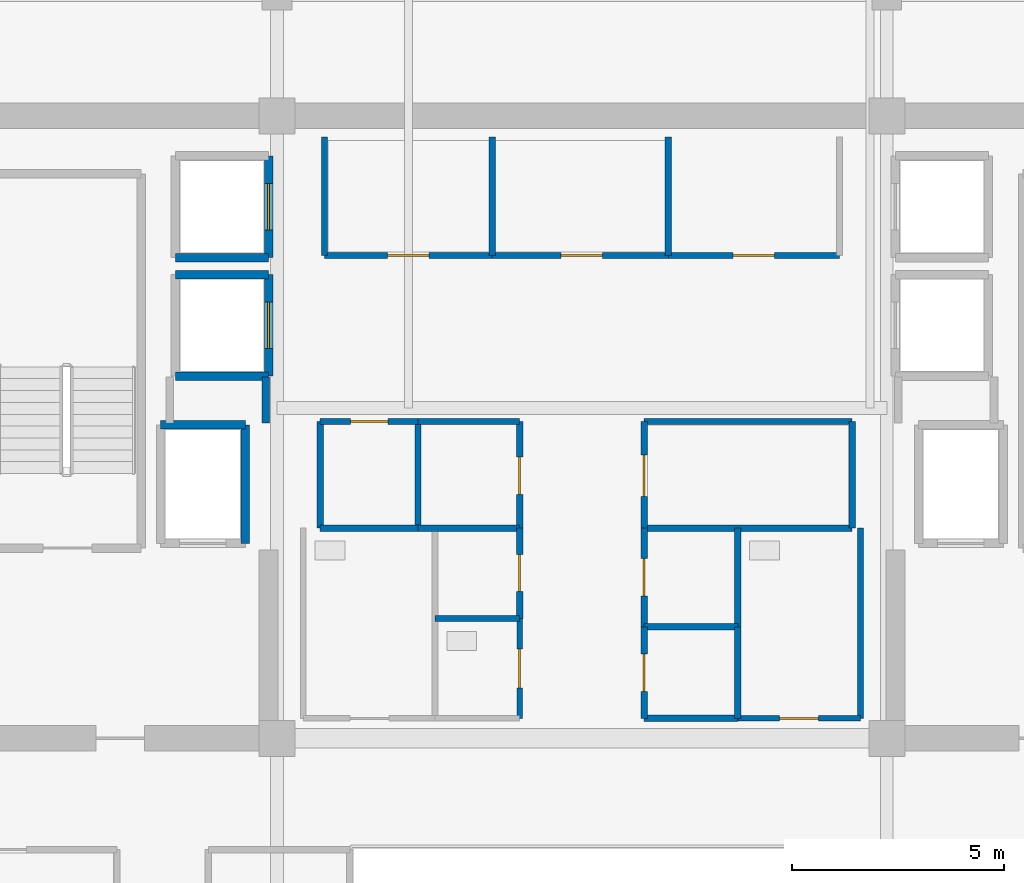
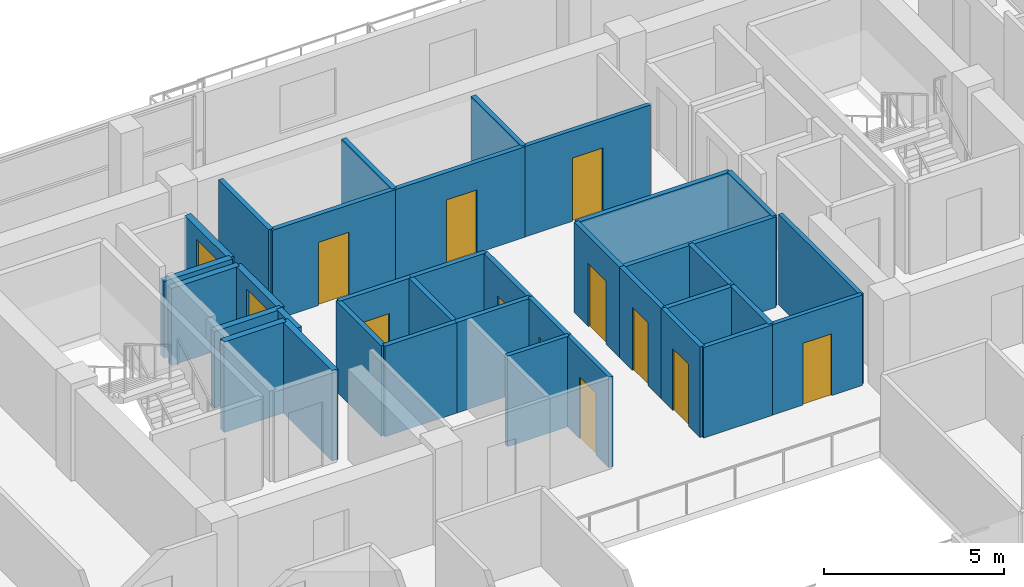
# One storey, part 17 of 24: 36 walls, 13 doors, 13 openings.
"""IFC4 building model written with IfcOpenShell, lengths in metres."""

from ifc_helpers import new_model, si_unit, direction, frame, frame_2d, origin, place, context, subcontext, project, spatial, rectangle, extrude, source, transform, mapped, material, layer, layer_set, type_object, element, fill, save


model = new_model("IFC4")

# Units and contexts
model_context = context("Model", 3, precision=1e-05, world=origin(), true_north=direction((0.0, 1.0)))
body_context = subcontext(model_context, "Body", "Model", "MODEL_VIEW")
ifc_project = project(units=[si_unit("LENGTHUNIT", "METRE"), si_unit("AREAUNIT", "SQUARE_METRE"), si_unit("VOLUMEUNIT", "CUBIC_METRE"), si_unit("PLANEANGLEUNIT", "RADIAN"), si_unit("MASSUNIT", "GRAM", prefix="KILO")], contexts=[model_context])

# Site, building, storey
site_placement = place(None, origin())
site = spatial("IfcSite", under=ifc_project, at=site_placement, CompositionType="ELEMENT")
building_placement = place(site_placement, origin())
building = spatial("IfcBuilding", under=site, at=building_placement, Name="Zarnakvel Exchange Tower", CompositionType="ELEMENT")
storey_placement = place(building_placement, frame((0.0, 0.0, 208.89990234375)))
storey = spatial("IfcBuildingStorey", under=building, at=storey_placement, Name="L58", CompositionType="ELEMENT", Elevation=208.89990234375)

# Wall, opening, door
ifc_material_1 = material(Name="Fire-Rated Gypsum Stud Partition", Category="gypsum")
ifc_layer_1 = layer(ifc_material_1, 0.14990234375)
ifc_layer_set_1 = layer_set([ifc_layer_1], Name="Fire-Rated Gypsum Stud Partition")
wall_type_1 = type_object("IfcWallType", Name="PT-01", PredefinedType="PARTITIONING", material=ifc_layer_set_1)
wall_1_placement = place(storey_placement, frame((-2.1201171875, 10.199951171875, 0.0), z_axis=(0.0, 0.0, 1.0), x_axis=(-1.0, 0.0, 0.0)))
wall_1 = element("IfcWall", 1, at=wall_1_placement, inside=storey, type_object=wall_type_1, Name="L58 Partition Wall PWALL-L58-011 (PT-01)", PredefinedType="PARTITIONING", context=body_context, shape_type="SweptSolid", body=[
    extrude(rectangle(XDim=3.9599609375, YDim=0.14990234375, at=frame_2d((1.97998046875, 0.0))), origin(), (0.0, 0.0, 1.0), 3.0751953125),
])
opening_1_placement = place(wall_1_placement, frame((1.489990234375, 0.0, 0.0)))
opening_1 = element("IfcOpeningElement", 2, at=opening_1_placement, cuts=wall_1, Name="Opening D-L58-05", PredefinedType="OPENING", context=body_context, shape_type="SweptSolid", body=[
    extrude(rectangle(XDim=0.97998046875, YDim=2.14990234375, at=frame_2d((0.489990234375, 1.074951171875))), frame((0.0, 0.0849609375, 0.0), z_axis=(0.0, -1.0, 0.0), x_axis=(1.0, 0.0, 0.0)), (0.0, 0.0, 1.0), 0.169921875),
])
ifc_material_2 = material(Name="Timber Acoustic Veneer", Category="wood")
door_type_1 = type_object("IfcDoorType", Name="DT-05", OperationType="NOTDEFINED", PredefinedType="DOOR", material=ifc_material_2)
shared_shape_1 = source(origin(), body_context, "Body", "SweptSolid", [
    extrude(rectangle(XDim=0.97998046875, YDim=2.14990234375, at=frame_2d((0.489990234375, 1.074951171875))), frame((0.0, 0.02490234375, 0.0), z_axis=(0.0, -1.0, 0.0), x_axis=(1.0, 0.0, 0.0)), (0.0, 0.0, 1.0), 0.050048828125),
])
door_1_placement = place(opening_1_placement, origin())
door_1 = element("IfcDoor", 3, at=door_1_placement, inside=storey, type_object=door_type_1, Name="L58 Clearing Records Office Door D-L58-05", OperationType="SINGLE_SWING_RIGHT", OverallHeight=2.14990234375, OverallWidth=0.97998046875, PredefinedType="DOOR", context=body_context, shape_type="MappedRepresentation", body=[
    mapped(shared_shape_1, transform((0.0, 0.0, 0.0), x_axis=(1.0, 0.0, 0.0), y_axis=(0.0, 1.0, 0.0), z_axis=(0.0, 0.0, 1.0), scale=1.0)),
])
fill(opening_1, door_1)

# Walls
for number, where, z_axis, x_axis, name in (
    (4, (-6.080078125, 10.199951171875, 0.0), (0.0, 0.0, 1.0), (0.0, 1.0, 0.0), "L58 Partition Wall PWALL-L58-012 (PT-01)"),
    (5, (-2.1201171875, 13.0, 0.0), (0.0, 0.0, 1.0), (0.0, -1.0, 0.0), "L58 Partition Wall PWALL-L58-013 (PT-01)"),
):
    element("IfcWall", number, at=place(storey_placement, frame(where, z_axis=z_axis, x_axis=x_axis)), inside=storey, type_object=wall_type_1, Name=name, PredefinedType="PARTITIONING", context=body_context, shape_type="SweptSolid", body=[
        extrude(rectangle(XDim=2.800048828125, YDim=0.14990234375, at=frame_2d((1.39990234375, 0.0))), origin(), (0.0, 0.0, 1.0), 3.0751953125),
    ])

# Wall, opening, door
wall_2_placement = place(storey_placement, frame((2.0400390625, 10.199951171875, 0.0), z_axis=(0.0, 0.0, 1.0), x_axis=(-1.0, 0.0, 0.0)))
wall_2 = element("IfcWall", 6, at=wall_2_placement, inside=storey, type_object=wall_type_1, Name="L58 Partition Wall PWALL-L58-014 (PT-01)", PredefinedType="PARTITIONING", context=body_context, shape_type="SweptSolid", body=[
    extrude(rectangle(XDim=4.16015625, YDim=0.14990234375, at=frame_2d((2.080078125, 0.0))), origin(), (0.0, 0.0, 1.0), 3.0751953125),
])
opening_2_placement = place(wall_2_placement, frame((1.550048828125, 0.0, 0.0)))
opening_2 = element("IfcOpeningElement", 7, at=opening_2_placement, cuts=wall_2, Name="Opening D-L58-06", PredefinedType="OPENING", context=body_context, shape_type="SweptSolid", body=[
    extrude(rectangle(XDim=0.97998046875, YDim=2.14990234375, at=frame_2d((0.489990234375, 1.074951171875))), frame((0.0, 0.0849609375, 0.0), z_axis=(0.0, -1.0, 0.0), x_axis=(1.0, 0.0, 0.0)), (0.0, 0.0, 1.0), 0.169921875),
])
door_2_placement = place(opening_2_placement, origin())
door_2 = element("IfcDoor", 8, at=door_2_placement, inside=storey, type_object=door_type_1, Name="L58 Brokerage Filing Room Door D-L58-06", OperationType="SINGLE_SWING_LEFT", OverallHeight=2.14990234375, OverallWidth=0.97998046875, PredefinedType="DOOR", context=body_context, shape_type="MappedRepresentation", body=[
    mapped(shared_shape_1, transform((0.0, 0.0, 0.0), x_axis=(1.0, 0.0, 0.0), y_axis=(0.0, 1.0, 0.0), z_axis=(0.0, 0.0, 1.0), scale=1.0)),
])
fill(opening_2, door_2)

# Walls
wall_3_placement = place(storey_placement, frame((2.0400390625, 13.0, 0.0), z_axis=(0.0, 0.0, 1.0), x_axis=(0.0, -1.0, 0.0)))
element("IfcWall", 9, at=wall_3_placement, inside=storey, type_object=wall_type_1, Name="L58 Partition Wall PWALL-L58-015 (PT-01)", PredefinedType="PARTITIONING", context=body_context, shape_type="SweptSolid", body=[
    extrude(rectangle(XDim=2.800048828125, YDim=0.14990234375, at=frame_2d((1.39990234375, 0.0))), origin(), (0.0, 0.0, 1.0), 3.0751953125),
])
wall_4_placement = place(storey_placement, frame((-3.8701171875, 3.760009765625, 0.0), z_axis=(0.0, 0.0, 1.0), x_axis=(-1.0, 0.0, 0.0)))
element("IfcWall", 10, at=wall_4_placement, inside=storey, type_object=wall_type_1, Name="L58 Partition Wall PWALL-L58-018 (PT-01)", PredefinedType="PARTITIONING", context=body_context, shape_type="SweptSolid", body=[
    extrude(rectangle(XDim=2.309814453125, YDim=0.14990234375, at=frame_2d((1.15478515625, 0.0))), origin(), (0.0, 0.0, 1.0), 3.0751953125),
])

# Wall, opening, door
wall_5_placement = place(storey_placement, frame((-6.179931640625, 6.280029296875, 0.0), z_axis=(0.0, 0.0, 1.0), x_axis=(1.0, 0.0, 0.0)))
wall_5 = element("IfcWall", 11, at=wall_5_placement, inside=storey, type_object=wall_type_1, Name="L58 Partition Wall PWALL-L58-019 (PT-01)", PredefinedType="PARTITIONING", context=body_context, shape_type="SweptSolid", body=[
    extrude(rectangle(XDim=2.309814453125, YDim=0.14990234375, at=frame_2d((1.15478515625, 0.0))), origin(), (0.0, 0.0, 1.0), 3.0751953125),
])
opening_3_placement = place(wall_5_placement, frame((0.719970703125, 0.0, 0.0)))
opening_3 = element("IfcOpeningElement", 12, at=opening_3_placement, cuts=wall_5, Name="Opening D-L58-08", PredefinedType="OPENING", context=body_context, shape_type="SweptSolid", body=[
    extrude(rectangle(XDim=0.8798828125, YDim=2.10009765625, at=frame_2d((0.43994140625, 1.050048828125))), frame((0.0, 0.0849609375, 0.0), z_axis=(0.0, -1.0, 0.0), x_axis=(1.0, 0.0, 0.0)), (0.0, 0.0, 1.0), 0.169921875),
])
ifc_material_3 = material(Name="Painted Galvanised Steel S355", Category="steel")
door_type_2 = type_object("IfcDoorType", Name="DT-08", OperationType="NOTDEFINED", PredefinedType="DOOR", material=ifc_material_3)
shared_shape_2 = source(origin(), body_context, "Body", "SweptSolid", [
    extrude(rectangle(XDim=0.8798828125, YDim=2.10009765625, at=frame_2d((0.43994140625, 1.050048828125))), frame((0.0, 0.02490234375, 0.0), z_axis=(0.0, -1.0, 0.0), x_axis=(1.0, 0.0, 0.0)), (0.0, 0.0, 1.0), 0.050048828125),
])
door_3_placement = place(opening_3_placement, origin())
door_3 = element("IfcDoor", 13, at=door_3_placement, inside=storey, type_object=door_type_2, Name="L58 Audit Filing Store Door D-L58-08", OperationType="SINGLE_SWING_LEFT", OverallHeight=2.10009765625, OverallWidth=0.8798828125, PredefinedType="DOOR", context=body_context, shape_type="MappedRepresentation", body=[
    mapped(shared_shape_2, transform((0.0, 0.0, 0.0), x_axis=(1.0, 0.0, 0.0), y_axis=(0.0, 1.0, 0.0), z_axis=(0.0, 0.0, 1.0), scale=1.0)),
])
fill(opening_3, door_3)

# Walls
for number, where, z_axis, x_axis, name in (
    (14, (-6.179931640625, 3.760009765625, 0.0), (0.0, 0.0, 1.0), (0.0, 1.0, 0.0), "L58 Partition Wall PWALL-L58-020 (PT-01)"),
    (15, (-3.8701171875, 6.280029296875, 0.0), (0.0, 0.0, 1.0), (0.0, -1.0, 0.0), "L58 Partition Wall PWALL-L58-021 (PT-01)"),
):
    element("IfcWall", number, at=place(storey_placement, frame(where, z_axis=z_axis, x_axis=x_axis)), inside=storey, type_object=wall_type_1, Name=name, PredefinedType="PARTITIONING", context=body_context, shape_type="SweptSolid", body=[
        extrude(rectangle(XDim=2.52001953125, YDim=0.14990234375, at=frame_2d((1.260009765625, 0.0))), origin(), (0.0, 0.0, 1.0), 3.0751953125),
    ])
for number, where, z_axis, x_axis, name in (
    (16, (-1.469970703125, 3.760009765625, 0.0), (0.0, 0.0, 1.0), (-1.0, 0.0, 0.0), "L58 Partition Wall PWALL-L58-022 (PT-01)"),
    (17, (-3.8701171875, 6.280029296875, 0.0), (0.0, 0.0, 1.0), (1.0, 0.0, 0.0), "L58 Partition Wall PWALL-L58-023 (PT-01)"),
):
    element("IfcWall", number, at=place(storey_placement, frame(where, z_axis=z_axis, x_axis=x_axis)), inside=storey, type_object=wall_type_1, Name=name, PredefinedType="PARTITIONING", context=body_context, shape_type="SweptSolid", body=[
        extrude(rectangle(XDim=2.400146484375, YDim=0.14990234375, at=frame_2d((1.2001953125, 0.0))), origin(), (0.0, 0.0, 1.0), 3.0751953125),
    ])

# Wall, opening, door
wall_6_placement = place(storey_placement, frame((-1.469970703125, 6.280029296875, 0.0), z_axis=(0.0, 0.0, 1.0), x_axis=(0.0, -1.0, 0.0)))
wall_6 = element("IfcWall", 18, at=wall_6_placement, inside=storey, type_object=wall_type_1, Name="L58 Partition Wall PWALL-L58-024 (PT-01)", PredefinedType="PARTITIONING", context=body_context, shape_type="SweptSolid", body=[
    extrude(rectangle(XDim=2.52001953125, YDim=0.14990234375, at=frame_2d((1.260009765625, 0.0))), origin(), (0.0, 0.0, 1.0), 3.0751953125),
])
opening_4_placement = place(wall_6_placement, frame((0.840087890625, 0.0, 0.0)))
opening_4 = element("IfcOpeningElement", 19, at=opening_4_placement, cuts=wall_6, Name="Opening D-L58-09", PredefinedType="OPENING", context=body_context, shape_type="SweptSolid", body=[
    extrude(rectangle(XDim=0.8798828125, YDim=2.10009765625, at=frame_2d((0.43994140625, 1.050048828125))), frame((0.0, 0.0849609375, 0.0), z_axis=(0.0, -1.0, 0.0), x_axis=(1.0, 0.0, 0.0)), (0.0, 0.0, 1.0), 0.169921875),
])
door_4_placement = place(opening_4_placement, origin())
door_4 = element("IfcDoor", 20, at=door_4_placement, inside=storey, type_object=door_type_2, Name="L58 Core Records Store Door D-L58-09", OperationType="SINGLE_SWING_RIGHT", OverallHeight=2.10009765625, OverallWidth=0.8798828125, PredefinedType="DOOR", context=body_context, shape_type="MappedRepresentation", body=[
    mapped(shared_shape_2, transform((0.0, 0.0, 0.0), x_axis=(1.0, 0.0, 0.0), y_axis=(0.0, 1.0, 0.0), z_axis=(0.0, 0.0, 1.0), scale=1.0)),
])
fill(opening_4, door_4)

# Walls
for number, where, z_axis, x_axis, name in (
    (21, (6.3798828125, 3.760009765625, 0.0), (0.0, 0.0, 1.0), (-1.0, 0.0, 0.0), "L58 Partition Wall PWALL-L58-025 (PT-01)"),
    (22, (1.469970703125, 6.280029296875, 0.0), (0.0, 0.0, 1.0), (1.0, 0.0, 0.0), "L58 Partition Wall PWALL-L58-026 (PT-01)"),
):
    element("IfcWall", number, at=place(storey_placement, frame(where, z_axis=z_axis, x_axis=x_axis)), inside=storey, type_object=wall_type_1, Name=name, PredefinedType="PARTITIONING", context=body_context, shape_type="SweptSolid", body=[
        extrude(rectangle(XDim=4.909912109375, YDim=0.14990234375, at=frame_2d((2.455078125, 0.0))), origin(), (0.0, 0.0, 1.0), 3.0751953125),
    ])

# Wall, opening, door
wall_7_placement = place(storey_placement, frame((1.469970703125, 3.760009765625, 0.0), z_axis=(0.0, 0.0, 1.0), x_axis=(0.0, 1.0, 0.0)))
wall_7 = element("IfcWall", 23, at=wall_7_placement, inside=storey, type_object=wall_type_1, Name="L58 Partition Wall PWALL-L58-027 (PT-01)", PredefinedType="PARTITIONING", context=body_context, shape_type="SweptSolid", body=[
    extrude(rectangle(XDim=2.52001953125, YDim=0.14990234375, at=frame_2d((1.260009765625, 0.0))), origin(), (0.0, 0.0, 1.0), 3.0751953125),
])
opening_5_placement = place(wall_7_placement, frame((0.75, 0.0, 0.0)))
opening_5 = element("IfcOpeningElement", 24, at=opening_5_placement, cuts=wall_7, Name="Opening D-L58-10", PredefinedType="OPENING", context=body_context, shape_type="SweptSolid", body=[
    extrude(rectangle(XDim=0.97998046875, YDim=2.14990234375, at=frame_2d((0.489990234375, 1.074951171875))), frame((0.0, 0.0849609375, 0.0), z_axis=(0.0, -1.0, 0.0), x_axis=(1.0, 0.0, 0.0)), (0.0, 0.0, 1.0), 0.169921875),
])
door_5_placement = place(opening_5_placement, origin())
door_5 = element("IfcDoor", 25, at=door_5_placement, inside=storey, type_object=door_type_1, Name="L58 Telemetry Server Suite Door D-L58-10", OperationType="SINGLE_SWING_LEFT", OverallHeight=2.14990234375, OverallWidth=0.97998046875, PredefinedType="DOOR", context=body_context, shape_type="MappedRepresentation", body=[
    mapped(shared_shape_1, transform((0.0, 0.0, 0.0), x_axis=(1.0, 0.0, 0.0), y_axis=(0.0, 1.0, 0.0), z_axis=(0.0, 0.0, 1.0), scale=1.0)),
])
fill(opening_5, door_5)

# Wall
wall_8_placement = place(storey_placement, frame((6.3798828125, 6.280029296875, 0.0), z_axis=(0.0, 0.0, 1.0), x_axis=(0.0, -1.0, 0.0)))
element("IfcWall", 26, at=wall_8_placement, inside=storey, type_object=wall_type_1, Name="L58 Partition Wall PWALL-L58-028 (PT-01)", PredefinedType="PARTITIONING", context=body_context, shape_type="SweptSolid", body=[
    extrude(rectangle(XDim=2.52001953125, YDim=0.14990234375, at=frame_2d((1.260009765625, 0.0))), origin(), (0.0, 0.0, 1.0), 3.0751953125),
])

# Wall, opening, door
wall_9_placement = place(storey_placement, frame((-1.469970703125, 3.760009765625, 0.0), z_axis=(0.0, 0.0, 1.0), x_axis=(0.0, -1.0, 0.0)))
wall_9 = element("IfcWall", 27, at=wall_9_placement, inside=storey, type_object=wall_type_1, Name="L58 Partition Wall PWALL-L58-035 (PT-01)", PredefinedType="PARTITIONING", context=body_context, shape_type="SweptSolid", body=[
    extrude(rectangle(XDim=2.130126953125, YDim=0.14990234375, at=frame_2d((1.06494140625, 0.0))), origin(), (0.0, 0.0, 1.0), 3.0751953125),
])
opening_6_placement = place(wall_9_placement, frame((0.6201171875, 0.0, 0.0)))
opening_6 = element("IfcOpeningElement", 28, at=opening_6_placement, cuts=wall_9, Name="Opening D-L58-13", PredefinedType="OPENING", context=body_context, shape_type="SweptSolid", body=[
    extrude(rectangle(XDim=0.8798828125, YDim=2.10009765625, at=frame_2d((0.43994140625, 1.050048828125))), frame((0.0, 0.0849609375, 0.0), z_axis=(0.0, -1.0, 0.0), x_axis=(1.0, 0.0, 0.0)), (0.0, 0.0, 1.0), 0.169921875),
])
door_6_placement = place(opening_6_placement, origin())
door_6 = element("IfcDoor", 29, at=door_6_placement, inside=storey, type_object=door_type_2, Name="L58 Core Comms Room Door D-L58-13", OperationType="SINGLE_SWING_RIGHT", OverallHeight=2.10009765625, OverallWidth=0.8798828125, PredefinedType="DOOR", context=body_context, shape_type="MappedRepresentation", body=[
    mapped(shared_shape_2, transform((0.0, 0.0, 0.0), x_axis=(1.0, 0.0, 0.0), y_axis=(0.0, 1.0, 0.0), z_axis=(0.0, 0.0, 1.0), scale=1.0)),
])
fill(opening_6, door_6)

# Walls
for number, where, z_axis, x_axis, name in (
    (30, (3.679931640625, -0.72998046875, 0.0), (0.0, 0.0, 1.0), (-1.0, 0.0, 0.0), "L58 Partition Wall PWALL-L58-036 (PT-01)"),
    (31, (1.469970703125, 1.429931640625, 0.0), (0.0, 0.0, 1.0), (1.0, 0.0, 0.0), "L58 Partition Wall PWALL-L58-037 (PT-01)"),
):
    element("IfcWall", number, at=place(storey_placement, frame(where, z_axis=z_axis, x_axis=x_axis)), inside=storey, type_object=wall_type_1, Name=name, PredefinedType="PARTITIONING", context=body_context, shape_type="SweptSolid", body=[
        extrude(rectangle(XDim=2.2099609375, YDim=0.14990234375, at=frame_2d((1.10498046875, 0.0))), origin(), (0.0, 0.0, 1.0), 3.0751953125),
    ])

# Wall, opening, door
wall_10_placement = place(storey_placement, frame((1.469970703125, -0.72998046875, 0.0), z_axis=(0.0, 0.0, 1.0), x_axis=(0.0, 1.0, 0.0)))
wall_10 = element("IfcWall", 32, at=wall_10_placement, inside=storey, type_object=wall_type_1, Name="L58 Partition Wall PWALL-L58-038 (PT-01)", PredefinedType="PARTITIONING", context=body_context, shape_type="SweptSolid", body=[
    extrude(rectangle(XDim=2.159912109375, YDim=0.14990234375, at=frame_2d((1.080078125, 0.0))), origin(), (0.0, 0.0, 1.0), 3.0751953125),
])
opening_7_placement = place(wall_10_placement, frame((0.639892578125, 0.0, 0.0)))
opening_7 = element("IfcOpeningElement", 33, at=opening_7_placement, cuts=wall_10, Name="Opening D-L58-14", PredefinedType="OPENING", context=body_context, shape_type="SweptSolid", body=[
    extrude(rectangle(XDim=0.8798828125, YDim=2.10009765625, at=frame_2d((0.43994140625, 1.050048828125))), frame((0.0, 0.0849609375, 0.0), z_axis=(0.0, -1.0, 0.0), x_axis=(1.0, 0.0, 0.0)), (0.0, 0.0, 1.0), 0.169921875),
])
door_7_placement = place(opening_7_placement, origin())
door_7 = element("IfcDoor", 34, at=door_7_placement, inside=storey, type_object=door_type_2, Name="L58 Janitor Store Door D-L58-14", OperationType="SINGLE_SWING_LEFT", OverallHeight=2.10009765625, OverallWidth=0.8798828125, PredefinedType="DOOR", context=body_context, shape_type="MappedRepresentation", body=[
    mapped(shared_shape_2, transform((0.0, 0.0, 0.0), x_axis=(1.0, 0.0, 0.0), y_axis=(0.0, 1.0, 0.0), z_axis=(0.0, 0.0, 1.0), scale=1.0)),
])
fill(opening_7, door_7)

# Wall
wall_11_placement = place(storey_placement, frame((3.679931640625, 1.429931640625, 0.0), z_axis=(0.0, 0.0, 1.0), x_axis=(0.0, -1.0, 0.0)))
element("IfcWall", 35, at=wall_11_placement, inside=storey, type_object=wall_type_1, Name="L58 Partition Wall PWALL-L58-039 (PT-01)", PredefinedType="PARTITIONING", context=body_context, shape_type="SweptSolid", body=[
    extrude(rectangle(XDim=2.159912109375, YDim=0.14990234375, at=frame_2d((1.080078125, 0.0))), origin(), (0.0, 0.0, 1.0), 3.0751953125),
])

# Wall, opening, door
wall_12_placement = place(storey_placement, frame((1.469970703125, 1.429931640625, 0.0), z_axis=(0.0, 0.0, 1.0), x_axis=(0.0, 1.0, 0.0)))
wall_12 = element("IfcWall", 36, at=wall_12_placement, inside=storey, type_object=wall_type_1, Name="L58 Partition Wall PWALL-L58-040 (PT-01)", PredefinedType="PARTITIONING", context=body_context, shape_type="SweptSolid", body=[
    extrude(rectangle(XDim=2.330078125, YDim=0.14990234375, at=frame_2d((1.1650390625, 0.0))), origin(), (0.0, 0.0, 1.0), 3.0751953125),
])
opening_8_placement = place(wall_12_placement, frame((0.72998046875, 0.0, 0.0)))
opening_8 = element("IfcOpeningElement", 37, at=opening_8_placement, cuts=wall_12, Name="Opening D-L58-15", PredefinedType="OPENING", context=body_context, shape_type="SweptSolid", body=[
    extrude(rectangle(XDim=0.8798828125, YDim=2.14990234375, at=frame_2d((0.43994140625, 1.074951171875))), frame((0.0, 0.0849609375, 0.0), z_axis=(0.0, -1.0, 0.0), x_axis=(1.0, 0.0, 0.0)), (0.0, 0.0, 1.0), 0.169921875),
])
shared_shape_3 = source(origin(), body_context, "Body", "SweptSolid", [
    extrude(rectangle(XDim=0.8798828125, YDim=2.14990234375, at=frame_2d((0.43994140625, 1.074951171875))), frame((0.0, 0.02490234375, 0.0), z_axis=(0.0, -1.0, 0.0), x_axis=(1.0, 0.0, 0.0)), (0.0, 0.0, 1.0), 0.050048828125),
])
door_8_placement = place(opening_8_placement, origin())
door_8 = element("IfcDoor", 38, at=door_8_placement, inside=storey, type_object=door_type_1, Name="L58 Stationery Store Door D-L58-15", OperationType="SINGLE_SWING_RIGHT", OverallHeight=2.14990234375, OverallWidth=0.8798828125, PredefinedType="DOOR", context=body_context, shape_type="MappedRepresentation", body=[
    mapped(shared_shape_3, transform((0.0, 0.0, 0.0), x_axis=(1.0, 0.0, 0.0), y_axis=(0.0, 1.0, 0.0), z_axis=(0.0, 0.0, 1.0), scale=1.0)),
])
fill(opening_8, door_8)

# Walls
wall_13_placement = place(storey_placement, frame((3.679931640625, 3.760009765625, 0.0), z_axis=(0.0, 0.0, 1.0), x_axis=(0.0, -1.0, 0.0)))
element("IfcWall", 39, at=wall_13_placement, inside=storey, type_object=wall_type_1, Name="L58 Partition Wall PWALL-L58-041 (PT-01)", PredefinedType="PARTITIONING", context=body_context, shape_type="SweptSolid", body=[
    extrude(rectangle(XDim=2.330078125, YDim=0.14990234375, at=frame_2d((1.1650390625, 0.0))), origin(), (0.0, 0.0, 1.0), 3.0751953125),
])
ifc_layer_2 = layer(ifc_material_1, 0.179931640625)
ifc_layer_set_2 = layer_set([ifc_layer_2], Name="Fire-Rated Gypsum Stud Partition")
wall_type_2 = type_object("IfcWallType", Name="PT-02", PredefinedType="PARTITIONING", material=ifc_layer_set_2)
wall_14_placement = place(storey_placement, frame((-7.469970703125, 7.330078125, 0.0), z_axis=(0.0, 0.0, 1.0), x_axis=(0.0, -1.0, 0.0)))
element("IfcWall", 40, at=wall_14_placement, inside=storey, type_object=wall_type_2, Name="L58 Partition Wall PWALL-L58-008 (PT-02)", PredefinedType="PARTITIONING", context=body_context, shape_type="SweptSolid", body=[
    extrude(rectangle(XDim=1.090087890625, YDim=0.179931640625, at=frame_2d((0.544921875, 0.0))), origin(), (0.0, 0.0, 1.0), 2.614990234375),
])

# Wall, opening, door
ifc_material_4 = material(Name="Moisture-Resistant Tile-Faced Partition", Category="gypsum")
ifc_layer_3 = layer(ifc_material_4, 0.135009765625)
ifc_layer_set_3 = layer_set([ifc_layer_3], Name="Moisture-Resistant Tile-Faced Partition")
wall_type_3 = type_object("IfcWallType", Name="PT-03", PredefinedType="PARTITIONING", material=ifc_layer_set_3)
wall_15_placement = place(storey_placement, frame((6.080078125, 10.199951171875, 0.0), z_axis=(0.0, 0.0, 1.0), x_axis=(-1.0, 0.0, 0.0)))
wall_15 = element("IfcWall", 41, at=wall_15_placement, inside=storey, type_object=wall_type_3, Name="L58 Partition Wall PWALL-L58-016 (PT-03)", PredefinedType="PARTITIONING", context=body_context, shape_type="SweptSolid", body=[
    extrude(rectangle(XDim=4.0400390625, YDim=0.135009765625, at=frame_2d((2.02001953125, 0.0))), origin(), (0.0, 0.0, 1.0), 3.0751953125),
])
opening_9_placement = place(wall_15_placement, frame((1.530029296875, 0.0, 0.0)))
opening_9 = element("IfcOpeningElement", 42, at=opening_9_placement, cuts=wall_15, Name="Opening D-L58-07", PredefinedType="OPENING", context=body_context, shape_type="SweptSolid", body=[
    extrude(rectangle(XDim=0.97998046875, YDim=2.14990234375, at=frame_2d((0.489990234375, 1.074951171875))), frame((0.0, 0.077392578125, 0.0), z_axis=(0.0, -1.0, 0.0), x_axis=(1.0, 0.0, 0.0)), (0.0, 0.0, 1.0), 0.155029296875),
])
door_9_placement = place(opening_9_placement, origin())
door_9 = element("IfcDoor", 43, at=door_9_placement, inside=storey, type_object=door_type_1, Name="L58 Executive Tea Pantry Door D-L58-07", OperationType="SINGLE_SWING_RIGHT", OverallHeight=2.14990234375, OverallWidth=0.97998046875, PredefinedType="DOOR", context=body_context, shape_type="MappedRepresentation", body=[
    mapped(shared_shape_1, transform((0.0, 0.0, 0.0), x_axis=(1.0, 0.0, 0.0), y_axis=(0.0, 1.0, 0.0), z_axis=(0.0, 0.0, 1.0), scale=1.0)),
])
fill(opening_9, door_9)

# Wall
wall_16_placement = place(storey_placement, frame((-3.469970703125, 1.6298828125, 0.0), z_axis=(0.0, 0.0, 1.0), x_axis=(1.0, 0.0, 0.0)))
element("IfcWall", 44, at=wall_16_placement, inside=storey, type_object=wall_type_3, Name="L58 Partition Wall PWALL-L58-033 (PT-03)", PredefinedType="PARTITIONING", context=body_context, shape_type="SweptSolid", body=[
    extrude(rectangle(XDim=2.0, YDim=0.135009765625, at=frame_2d((1.0, 0.0))), origin(), (0.0, 0.0, 1.0), 3.0751953125),
])

# Wall, opening, door
wall_17_placement = place(storey_placement, frame((-1.469970703125, 1.6298828125, 0.0), z_axis=(0.0, 0.0, 1.0), x_axis=(0.0, -1.0, 0.0)))
wall_17 = element("IfcWall", 45, at=wall_17_placement, inside=storey, type_object=wall_type_3, Name="L58 Partition Wall PWALL-L58-034 (PT-03)", PredefinedType="PARTITIONING", context=body_context, shape_type="SweptSolid", body=[
    extrude(rectangle(XDim=2.35986328125, YDim=0.135009765625, at=frame_2d((1.179931640625, 0.0))), origin(), (0.0, 0.0, 1.0), 3.0751953125),
])
opening_10_placement = place(wall_17_placement, frame((0.719970703125, 0.0, 0.0)))
opening_10 = element("IfcOpeningElement", 46, at=opening_10_placement, cuts=wall_17, Name="Opening D-L58-12", PredefinedType="OPENING", context=body_context, shape_type="SweptSolid", body=[
    extrude(rectangle(XDim=0.919921875, YDim=2.10009765625, at=frame_2d((0.4599609375, 1.050048828125))), frame((0.0, 0.077392578125, 0.0), z_axis=(0.0, -1.0, 0.0), x_axis=(1.0, 0.0, 0.0)), (0.0, 0.0, 1.0), 0.155029296875),
])
ifc_material_5 = material(Name="Moisture-Resistant Laminate Timber", Category="wood")
door_type_3 = type_object("IfcDoorType", Name="DT-07", OperationType="NOTDEFINED", PredefinedType="DOOR", material=ifc_material_5)
shared_shape_4 = source(origin(), body_context, "Body", "SweptSolid", [
    extrude(rectangle(XDim=0.919921875, YDim=2.10009765625, at=frame_2d((0.4599609375, 1.050048828125))), frame((0.0, 0.02490234375, 0.0), z_axis=(0.0, -1.0, 0.0), x_axis=(1.0, 0.0, 0.0)), (0.0, 0.0, 1.0), 0.050048828125),
])
door_10_placement = place(opening_10_placement, origin())
door_10 = element("IfcDoor", 47, at=door_10_placement, inside=storey, type_object=door_type_3, Name="L58 Accessible Toilet Door D-L58-12", OperationType="SINGLE_SWING_LEFT", OverallHeight=2.10009765625, OverallWidth=0.919921875, PredefinedType="DOOR", context=body_context, shape_type="MappedRepresentation", body=[
    mapped(shared_shape_4, transform((0.0, 0.0, 0.0), x_axis=(1.0, 0.0, 0.0), y_axis=(0.0, 1.0, 0.0), z_axis=(0.0, 0.0, 1.0), scale=1.0)),
])
fill(opening_10, door_10)

wall_18_placement = place(storey_placement, frame((6.580078125, -0.72998046875, 0.0), z_axis=(0.0, 0.0, 1.0), x_axis=(-1.0, 0.0, 0.0)))
wall_18 = element("IfcWall", 48, at=wall_18_placement, inside=storey, type_object=wall_type_3, Name="L58 Partition Wall PWALL-L58-042 (PT-03)", PredefinedType="PARTITIONING", context=body_context, shape_type="SweptSolid", body=[
    extrude(rectangle(XDim=2.900146484375, YDim=0.135009765625, at=frame_2d((1.4501953125, 0.0))), origin(), (0.0, 0.0, 1.0), 3.0751953125),
])
opening_11_placement = place(wall_18_placement, frame((0.989990234375, 0.0, 0.0)))
opening_11 = element("IfcOpeningElement", 49, at=opening_11_placement, cuts=wall_18, Name="Opening D-L58-16", PredefinedType="OPENING", context=body_context, shape_type="SweptSolid", body=[
    extrude(rectangle(XDim=0.919921875, YDim=2.10009765625, at=frame_2d((0.4599609375, 1.050048828125))), frame((0.0, 0.077392578125, 0.0), z_axis=(0.0, -1.0, 0.0), x_axis=(1.0, 0.0, 0.0)), (0.0, 0.0, 1.0), 0.155029296875),
])
door_11_placement = place(opening_11_placement, origin())
door_11 = element("IfcDoor", 50, at=door_11_placement, inside=storey, type_object=door_type_3, Name="L58 Female Toilet Door D-L58-16", OperationType="SINGLE_SWING_LEFT", OverallHeight=2.10009765625, OverallWidth=0.919921875, PredefinedType="DOOR", context=body_context, shape_type="MappedRepresentation", body=[
    mapped(shared_shape_4, transform((0.0, 0.0, 0.0), x_axis=(1.0, 0.0, 0.0), y_axis=(0.0, 1.0, 0.0), z_axis=(0.0, 0.0, 1.0), scale=1.0)),
])
fill(opening_11, door_11)

# Walls
wall_19_placement = place(storey_placement, frame((6.580078125, 3.760009765625, 0.0), z_axis=(0.0, 0.0, 1.0), x_axis=(0.0, -1.0, 0.0)))
element("IfcWall", 51, at=wall_19_placement, inside=storey, type_object=wall_type_3, Name="L58 Partition Wall PWALL-L58-043 (PT-03)", PredefinedType="PARTITIONING", context=body_context, shape_type="SweptSolid", body=[
    extrude(rectangle(XDim=4.489990234375, YDim=0.135009765625, at=frame_2d((2.2451171875, 0.0))), origin(), (0.0, 0.0, 1.0), 3.0751953125),
])
ifc_material_6 = material(Name="Concrete C40/50", Category="concrete")
ifc_layer_4 = layer(ifc_material_6, 0.199951171875)
ifc_layer_set_4 = layer_set([ifc_layer_4], Name="Concrete C40/50")
wall_type_4 = type_object("IfcWallType", Name="SW-01", PredefinedType="SOLIDWALL", material=ifc_layer_set_4)
wall_20_placement = place(storey_placement, frame((-9.949951171875, 6.199951171875, 0.0), z_axis=(0.0, 0.0, 1.0), x_axis=(1.0, 0.0, 0.0)))
element("IfcWall", 52, at=wall_20_placement, inside=storey, type_object=wall_type_4, Name="L58 FL-01 Hoistway Wall North", PredefinedType="SOLIDWALL", context=body_context, shape_type="SweptSolid", body=[
    extrude(rectangle(XDim=2.0, YDim=0.199951171875, at=frame_2d((1.0, 0.0))), origin(), (0.0, 0.0, 1.0), 3.0751953125),
])
wall_21_placement = place(storey_placement, frame((-7.949951171875, 6.199951171875, 0.0), z_axis=(0.0, 0.0, 1.0), x_axis=(0.0, -1.0, 0.0)))
element("IfcWall", 53, at=wall_21_placement, inside=storey, type_object=wall_type_4, Name="L58 FL-01 Hoistway Wall East", PredefinedType="SOLIDWALL", context=body_context, shape_type="SweptSolid", body=[
    extrude(rectangle(XDim=2.800048828125, YDim=0.199951171875, at=frame_2d((1.39990234375, 0.0))), origin(), (0.0, 0.0, 1.0), 3.0751953125),
])
for number, where, z_axis, x_axis, name in (
    (54, (-7.39990234375, 7.35009765625, 0.0), (0.0, 0.0, 1.0), (-1.0, 0.0, 0.0), "L58 PL-09 Hoistway Wall South"),
    (55, (-9.60009765625, 9.75, 0.0), (0.0, 0.0, 1.0), (1.0, 0.0, 0.0), "L58 PL-09 Hoistway Wall North"),
):
    element("IfcWall", number, at=place(storey_placement, frame(where, z_axis=z_axis, x_axis=x_axis)), inside=storey, type_object=wall_type_4, Name=name, PredefinedType="SOLIDWALL", context=body_context, shape_type="SweptSolid", body=[
        extrude(rectangle(XDim=2.2001953125, YDim=0.199951171875, at=frame_2d((1.10009765625, 0.0))), origin(), (0.0, 0.0, 1.0), 2.614990234375),
    ])

# Wall, opening, door
wall_22_placement = place(storey_placement, frame((-7.39990234375, 9.75, 0.0), z_axis=(0.0, 0.0, 1.0), x_axis=(0.0, -1.0, 0.0)))
wall_22 = element("IfcWall", 56, at=wall_22_placement, inside=storey, type_object=wall_type_4, Name="L58 PL-09 Hoistway Wall East", PredefinedType="SOLIDWALL", context=body_context, shape_type="SweptSolid", body=[
    extrude(rectangle(XDim=2.39990234375, YDim=0.199951171875, at=frame_2d((1.199951171875, 0.0))), origin(), (0.0, 0.0, 1.0), 2.614990234375),
])
opening_12_placement = place(wall_22_placement, frame((0.64990234375, 0.0, 0.0)))
opening_12 = element("IfcOpeningElement", 57, at=opening_12_placement, cuts=wall_22, Name="Opening LD-PL-09-L58", PredefinedType="OPENING", context=body_context, shape_type="SweptSolid", body=[
    extrude(rectangle(XDim=1.10009765625, YDim=2.199951171875, at=frame_2d((0.550048828125, 1.10009765625))), frame((0.0, 0.10986328125, 0.0), z_axis=(0.0, -1.0, 0.0), x_axis=(1.0, 0.0, 0.0)), (0.0, 0.0, 1.0), 0.219970703125),
])
ifc_material_7 = material(Name="Architectural Bronze Anodised Aluminium", Category="aluminium")
door_type_4 = type_object("IfcDoorType", Name="LDT-02", OperationType="NOTDEFINED", PredefinedType="DOOR", material=ifc_material_7)
shared_shape_5 = source(origin(), body_context, "Body", "SweptSolid", [
    extrude(rectangle(XDim=1.10009765625, YDim=2.199951171875, at=frame_2d((0.550048828125, 1.10009765625))), frame((0.0, 0.02490234375, 0.0), z_axis=(0.0, -1.0, 0.0), x_axis=(1.0, 0.0, 0.0)), (0.0, 0.0, 1.0), 0.050048828125),
])
door_12_placement = place(opening_12_placement, origin())
door_12 = element("IfcDoor", 58, at=door_12_placement, inside=storey, type_object=door_type_4, Name="L58 PL-09 Lift Landing Door LD-PL-09-L58", OperationType="DOUBLE_DOOR_SLIDING", OverallHeight=2.199951171875, OverallWidth=1.10009765625, PredefinedType="DOOR", context=body_context, shape_type="MappedRepresentation", body=[
    mapped(shared_shape_5, transform((0.0, 0.0, 0.0), x_axis=(1.0, 0.0, 0.0), y_axis=(0.0, 1.0, 0.0), z_axis=(0.0, 0.0, 1.0), scale=1.0)),
])
fill(opening_12, door_12)

# Wall
wall_23_placement = place(storey_placement, frame((-7.39990234375, 10.14990234375, 0.0), z_axis=(0.0, 0.0, 1.0), x_axis=(-1.0, 0.0, 0.0)))
element("IfcWall", 59, at=wall_23_placement, inside=storey, type_object=wall_type_4, Name="L58 PL-10 Hoistway Wall South", PredefinedType="SOLIDWALL", context=body_context, shape_type="SweptSolid", body=[
    extrude(rectangle(XDim=2.2001953125, YDim=0.199951171875, at=frame_2d((1.10009765625, 0.0))), origin(), (0.0, 0.0, 1.0), 2.614990234375),
])

# Wall, opening, door
wall_24_placement = place(storey_placement, frame((-7.39990234375, 12.550048828125, 0.0), z_axis=(0.0, 0.0, 1.0), x_axis=(0.0, -1.0, 0.0)))
wall_24 = element("IfcWall", 60, at=wall_24_placement, inside=storey, type_object=wall_type_4, Name="L58 PL-10 Hoistway Wall East", PredefinedType="SOLIDWALL", context=body_context, shape_type="SweptSolid", body=[
    extrude(rectangle(XDim=2.400146484375, YDim=0.199951171875, at=frame_2d((1.2001953125, 0.0))), origin(), (0.0, 0.0, 1.0), 2.614990234375),
])
opening_13_placement = place(wall_24_placement, frame((0.64990234375, 0.0, 0.0)))
opening_13 = element("IfcOpeningElement", 61, at=opening_13_placement, cuts=wall_24, Name="Opening LD-PL-10-L58", PredefinedType="OPENING", context=body_context, shape_type="SweptSolid", body=[
    extrude(rectangle(XDim=1.10009765625, YDim=2.199951171875, at=frame_2d((0.550048828125, 1.10009765625))), frame((0.0, 0.10986328125, 0.0), z_axis=(0.0, -1.0, 0.0), x_axis=(1.0, 0.0, 0.0)), (0.0, 0.0, 1.0), 0.219970703125),
])
door_13_placement = place(opening_13_placement, origin())
door_13 = element("IfcDoor", 62, at=door_13_placement, inside=storey, type_object=door_type_4, Name="L58 PL-10 Lift Landing Door LD-PL-10-L58", OperationType="DOUBLE_DOOR_SLIDING", OverallHeight=2.199951171875, OverallWidth=1.10009765625, PredefinedType="DOOR", context=body_context, shape_type="MappedRepresentation", body=[
    mapped(shared_shape_5, transform((0.0, 0.0, 0.0), x_axis=(1.0, 0.0, 0.0), y_axis=(0.0, 1.0, 0.0), z_axis=(0.0, 0.0, 1.0), scale=1.0)),
])
fill(opening_13, door_13)

save(model, "model.ifc")
